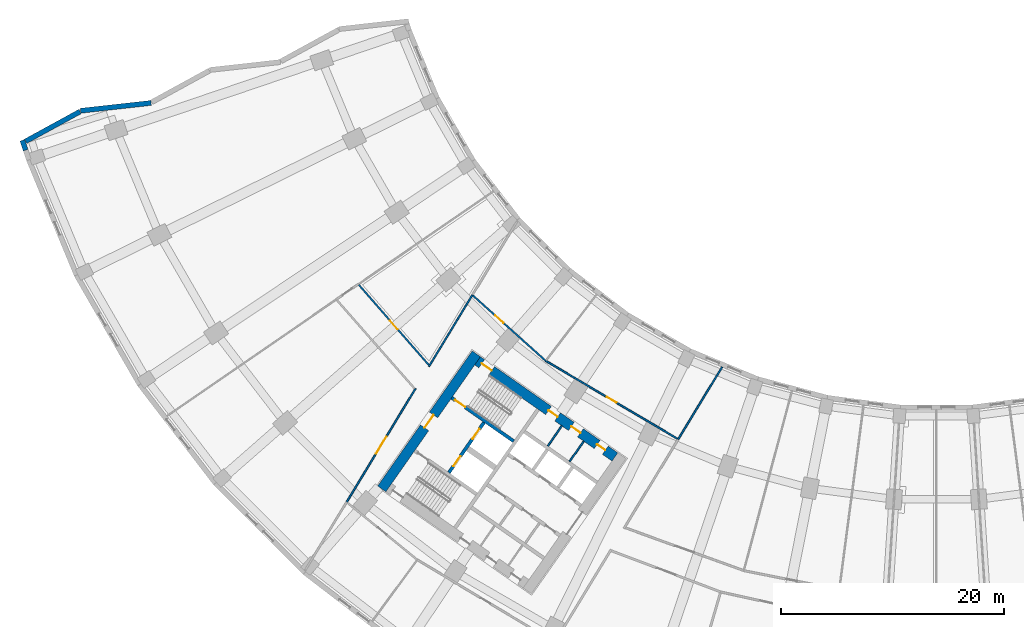
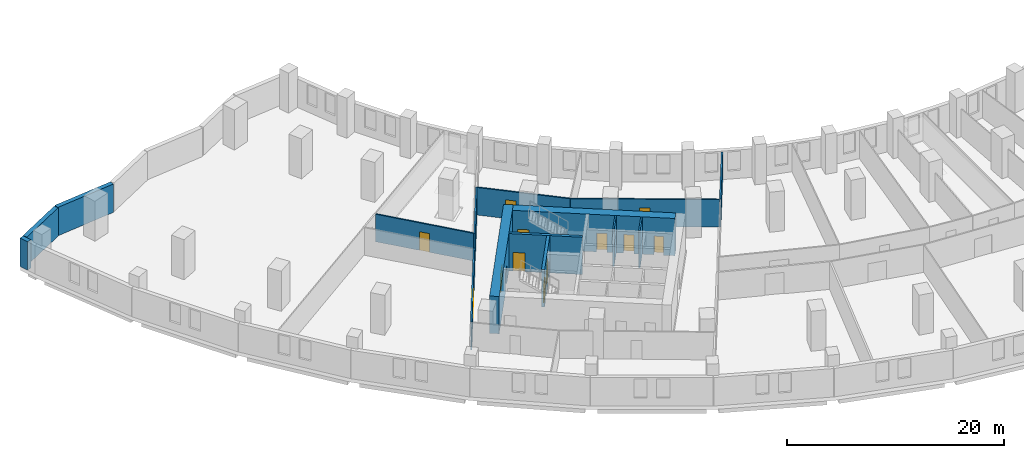
# One storey, part 7 of 19: 15 walls, 12 doors, 12 openings.
"""IFC4 building model written with IfcOpenShell, lengths in metres."""

from ifc_helpers import new_model, si_unit, direction, frame, frame_2d, origin, place, context, subcontext, project, spatial, rectangle, extrude, material, layer, layer_set, type_object, element, fill, save


model = new_model("IFC4")

# Units and contexts
model_context = context("Model", 3, precision=1e-05, world=origin(), true_north=direction((0.0, 1.0)))
body_context = subcontext(model_context, "Body", "Model", "MODEL_VIEW")
ifc_project = project(units=[si_unit("LENGTHUNIT", "METRE"), si_unit("AREAUNIT", "SQUARE_METRE"), si_unit("VOLUMEUNIT", "CUBIC_METRE"), si_unit("PLANEANGLEUNIT", "RADIAN"), si_unit("MASSUNIT", "GRAM", prefix="KILO")], contexts=[model_context])

# Site, building, storey
site_placement = place(None, origin())
site = spatial("IfcSite", under=ifc_project, at=site_placement, CompositionType="ELEMENT")
building_placement = place(site_placement, origin())
building = spatial("IfcBuilding", under=site, at=building_placement, Name="Qamariyya Broadcast Tower", CompositionType="ELEMENT")
storey_placement = place(building_placement, frame((0.0, 0.0, 36.0)))
storey = spatial("IfcBuildingStorey", under=building, at=storey_placement, Name="L05", CompositionType="ELEMENT", Elevation=36.0)

# Wall, opening, door
ifc_material_1 = material(Name="Concrete C70/85", Category="concrete")
ifc_layer_1 = layer(ifc_material_1, 0.89990234375)
ifc_layer_set_1 = layer_set([ifc_layer_1], Name="Core wall 900 mm Concrete C70/85")
wall_type_1 = type_object("IfcWallType", Name="Core wall 900 mm Concrete C70/85", PredefinedType="SHEAR", material=ifc_layer_set_1)
wall_1_placement = place(storey_placement, frame((-49.778564453125, -57.191162109375, 0.0), z_axis=(0.0, 0.0, 1.0), x_axis=(0.573577477574, 0.819151315216, 0.0)))
wall_1 = element("IfcWall", 1, at=wall_1_placement, inside=storey, type_object=wall_type_1, Name="k-W-L05-WH", PredefinedType="SHEAR", context=body_context, shape_type="SweptSolid", body=[
    extrude(rectangle(XDim=14.800048828125, YDim=0.89990234375, at=frame_2d((7.39990234375, 0.0))), origin(), (0.0, 0.0, 1.0), 4.199951171875),
])
opening_1_placement = place(wall_1_placement, frame((6.699951171875, 0.0, 0.0)))
opening_1 = element("IfcOpeningElement", 2, at=opening_1_placement, cuts=wall_1, Name="Opening KD2-W1", PredefinedType="OPENING", context=body_context, shape_type="SweptSolid", body=[
    extrude(rectangle(XDim=1.39990234375, YDim=2.10009765625, at=frame_2d((0.699951171875, 1.050048828125))), frame((0.0, 0.4599609375, 0.0), z_axis=(0.0, -1.0, 0.0), x_axis=(1.0, 0.0, 0.0)), (0.0, 0.0, 1.0), 0.919921875),
])
ifc_material_2 = material(Name="Steel fire-resisting door leaf", Category="steel")
door_type_1 = type_object("IfcDoorType", Name="Fire-fighting lobby door KD2", OperationType="DOUBLE_DOOR_SINGLE_SWING", PredefinedType="DOOR", material=ifc_material_2)
door_1_placement = place(opening_1_placement, origin())
door_1 = element("IfcDoor", 3, at=door_1_placement, inside=storey, type_object=door_type_1, Name="k-W-L05-WH-D16", OperationType="DOUBLE_DOOR_SINGLE_SWING", OverallHeight=2.10009765625, OverallWidth=1.39990234375, PredefinedType="DOOR", context=body_context, shape_type="SweptSolid", body=[
    extrude(rectangle(XDim=1.39990234375, YDim=2.10009765625, at=frame_2d((0.699951171875, 1.050048828125))), frame((0.0, 0.02490234375, 0.0), z_axis=(0.0, -1.0, 0.0), x_axis=(1.0, 0.0, 0.0)), (0.0, 0.0, 1.0), 0.050048828125),
])
fill(opening_1, door_1)

# Wall, openings, doors
wall_2_placement = place(storey_placement, frame((-28.8544921875, -54.32421875, 0.0), z_axis=(0.0, 0.0, 1.0), x_axis=(-0.819145767589, 0.573585400304, 0.0)))
wall_2 = element("IfcWall", 4, at=wall_2_placement, inside=storey, type_object=wall_type_1, Name="k-W-L05-WI", PredefinedType="SHEAR", context=body_context, shape_type="SweptSolid", body=[
    extrude(rectangle(XDim=15.04541015625, YDim=0.89990234375, at=frame_2d((7.522705078125, 0.0))), origin(), (0.0, 0.0, 1.0), 4.199951171875),
])
opening_2_placement = place(wall_2_placement, frame((1.050048828125, 0.0, 0.0)))
opening_2 = element("IfcOpeningElement", 5, at=opening_2_placement, cuts=wall_2, Name="Opening KD5-W1", PredefinedType="OPENING", context=body_context, shape_type="SweptSolid", body=[
    extrude(rectangle(XDim=0.89990234375, YDim=2.10009765625, at=frame_2d((0.449951171875, 1.050048828125))), frame((0.0, 0.4599609375, 0.0), z_axis=(0.0, -1.0, 0.0), x_axis=(1.0, 0.0, 0.0)), (0.0, 0.0, 1.0), 0.919921875),
])
opening_3_placement = place(wall_2_placement, frame((3.77490234375, 0.0, 0.0)))
opening_3 = element("IfcOpeningElement", 6, at=opening_3_placement, cuts=wall_2, Name="Opening KD7-W1", PredefinedType="OPENING", context=body_context, shape_type="SweptSolid", body=[
    extrude(rectangle(XDim=1.0, YDim=2.10009765625, at=frame_2d((0.5, 1.050048828125))), frame((0.0, 0.4599609375, 0.0), z_axis=(0.0, -1.0, 0.0), x_axis=(1.0, 0.0, 0.0)), (0.0, 0.0, 1.0), 0.919921875),
])
opening_4_placement = place(wall_2_placement, frame((6.27490234375, 0.0, 0.0)))
opening_4 = element("IfcOpeningElement", 7, at=opening_4_placement, cuts=wall_2, Name="Opening KD6-W4", PredefinedType="OPENING", context=body_context, shape_type="SweptSolid", body=[
    extrude(rectangle(XDim=1.0, YDim=2.10009765625, at=frame_2d((0.5, 1.050048828125))), frame((0.0, 0.4599609375, 0.0), z_axis=(0.0, -1.0, 0.0), x_axis=(1.0, 0.0, 0.0)), (0.0, 0.0, 1.0), 0.919921875),
])
opening_5_placement = place(wall_2_placement, frame((13.495361328125, 0.0, 0.0)))
opening_5 = element("IfcOpeningElement", 8, at=opening_5_placement, cuts=wall_2, Name="Opening KD1-W1", PredefinedType="OPENING", context=body_context, shape_type="SweptSolid", body=[
    extrude(rectangle(XDim=1.10009765625, YDim=2.10009765625, at=frame_2d((0.550048828125, 1.050048828125))), frame((0.0, 0.4599609375, 0.0), z_axis=(0.0, -1.0, 0.0), x_axis=(1.0, 0.0, 0.0)), (0.0, 0.0, 1.0), 0.919921875),
])
door_type_2 = type_object("IfcDoorType", Name="Accessible toilet door KD7", OperationType="SINGLE_SWING_LEFT", PredefinedType="DOOR", material=ifc_material_2)
door_2_placement = place(opening_3_placement, origin())
door_2 = element("IfcDoor", 9, at=door_2_placement, inside=storey, type_object=door_type_2, Name="k-W-L05-WI-D9", OperationType="SINGLE_SWING_RIGHT", OverallHeight=2.10009765625, OverallWidth=1.0, PredefinedType="DOOR", context=body_context, shape_type="SweptSolid", body=[
    extrude(rectangle(XDim=1.0, YDim=2.10009765625, at=frame_2d((0.5, 1.050048828125))), frame((0.0, 0.02490234375, 0.0), z_axis=(0.0, -1.0, 0.0), x_axis=(1.0, 0.0, 0.0)), (0.0, 0.0, 1.0), 0.050048828125),
])
fill(opening_3, door_2)
door_type_3 = type_object("IfcDoorType", Name="Core room door KD6", OperationType="SINGLE_SWING_LEFT", PredefinedType="DOOR", material=ifc_material_2)
door_3_placement = place(opening_4_placement, origin())
door_3 = element("IfcDoor", 10, at=door_3_placement, inside=storey, type_object=door_type_3, Name="k-W-L05-WI-D10", OperationType="SINGLE_SWING_LEFT", OverallHeight=2.10009765625, OverallWidth=1.0, PredefinedType="DOOR", context=body_context, shape_type="SweptSolid", body=[
    extrude(rectangle(XDim=1.0, YDim=2.10009765625, at=frame_2d((0.5, 1.050048828125))), frame((0.0, 0.02490234375, 0.0), z_axis=(0.0, -1.0, 0.0), x_axis=(1.0, 0.0, 0.0)), (0.0, 0.0, 1.0), 0.050048828125),
])
fill(opening_4, door_3)
door_type_4 = type_object("IfcDoorType", Name="Stair door KD1", OperationType="SINGLE_SWING_LEFT", PredefinedType="DOOR", material=ifc_material_2)
door_4_placement = place(opening_5_placement, origin())
door_4 = element("IfcDoor", 11, at=door_4_placement, inside=storey, type_object=door_type_4, Name="k-W-L05-WI-D17", OperationType="SINGLE_SWING_RIGHT", OverallHeight=2.10009765625, OverallWidth=1.10009765625, PredefinedType="DOOR", context=body_context, shape_type="SweptSolid", body=[
    extrude(rectangle(XDim=1.10009765625, YDim=2.10009765625, at=frame_2d((0.550048828125, 1.050048828125))), frame((0.0, 0.02490234375, 0.0), z_axis=(0.0, -1.0, 0.0), x_axis=(1.0, 0.0, 0.0)), (0.0, 0.0, 1.0), 0.050048828125),
])
fill(opening_5, door_4)
door_type_5 = type_object("IfcDoorType", Name="Toilet door KD5", OperationType="SINGLE_SWING_LEFT", PredefinedType="DOOR", material=ifc_material_2)
door_5_placement = place(opening_2_placement, origin())
door_5 = element("IfcDoor", 12, at=door_5_placement, inside=storey, type_object=door_type_5, Name="k-W-L05-WI-D8", OperationType="SINGLE_SWING_LEFT", OverallHeight=2.10009765625, OverallWidth=0.89990234375, PredefinedType="DOOR", context=body_context, shape_type="SweptSolid", body=[
    extrude(rectangle(XDim=0.89990234375, YDim=2.10009765625, at=frame_2d((0.449951171875, 1.050048828125))), frame((0.0, 0.02490234375, 0.0), z_axis=(0.0, -1.0, 0.0), x_axis=(1.0, 0.0, 0.0)), (0.0, 0.0, 1.0), 0.050048828125),
])
fill(opening_2, door_5)

# Wall, opening, door
ifc_material_3 = material(Name="Gypsum board partition")
ifc_layer_2 = layer(ifc_material_3, 0.14990234375)
ifc_layer_set_2 = layer_set([ifc_layer_2], Name="Corridor partition 150 EI 60")
wall_type_2 = type_object("IfcWallType", Name="Corridor partition 150 EI 60", PredefinedType="PARTITIONING", material=ifc_layer_set_2)
wall_3_placement = place(storey_placement, frame((-52.935791015625, -58.37158203125, 0.0), z_axis=(0.0, 0.0, 1.0), x_axis=(0.519168806698, 0.854671720693, 0.0)))
wall_3 = element("IfcWall", 13, at=wall_3_placement, inside=storey, type_object=wall_type_2, Name="Partition L05-008", PredefinedType="PARTITIONING", context=body_context, shape_type="SweptSolid", body=[
    extrude(rectangle(XDim=11.927490234375, YDim=0.14990234375, at=frame_2d((5.9638671875, 0.0))), origin(), (0.0, 0.0, 1.0), 3.10009765625),
])
opening_6_placement = place(wall_3_placement, frame((5.063720703125, 0.0, 0.0)))
opening_6 = element("IfcOpeningElement", 14, at=opening_6_placement, cuts=wall_3, Name="Opening L05-D20", PredefinedType="OPENING", context=body_context, shape_type="SweptSolid", body=[
    extrude(rectangle(XDim=1.800048828125, YDim=2.10009765625, at=frame_2d((0.89990234375, 1.050048828125))), frame((0.0, 0.0849609375, 0.0), z_axis=(0.0, -1.0, 0.0), x_axis=(1.0, 0.0, 0.0)), (0.0, 0.0, 1.0), 0.169921875),
])
ifc_material_4 = material(Name="Timber fire door leaf", Category="wood")
door_type_6 = type_object("IfcDoorType", Name="Double fire door 1800 x 2100 FD60", OperationType="NOTDEFINED", PredefinedType="DOOR", material=ifc_material_4)
door_6_placement = place(opening_6_placement, origin())
door_6 = element("IfcDoor", 15, at=door_6_placement, inside=storey, type_object=door_type_6, Name="Door L05-D20", OperationType="DOUBLE_DOOR_SINGLE_SWING", OverallHeight=2.10009765625, OverallWidth=1.800048828125, PredefinedType="DOOR", context=body_context, shape_type="SweptSolid", body=[
    extrude(rectangle(XDim=1.800048828125, YDim=2.10009765625, at=frame_2d((0.89990234375, 1.050048828125))), frame((0.0, 0.02490234375, 0.0), z_axis=(0.0, -1.0, 0.0), x_axis=(1.0, 0.0, 0.0)), (0.0, 0.0, 1.0), 0.050048828125),
])
fill(opening_6, door_6)

wall_4_placement = place(storey_placement, frame((-51.83251953125, -38.880859375, 0.0), z_axis=(0.0, 0.0, 1.0), x_axis=(0.657411055224, -0.753532152246, 0.0)))
wall_4 = element("IfcWall", 16, at=wall_4_placement, inside=storey, type_object=wall_type_2, Name="Partition L05-010", PredefinedType="PARTITIONING", context=body_context, shape_type="SweptSolid", body=[
    extrude(rectangle(XDim=9.552734375, YDim=0.14990234375, at=frame_2d((4.7763671875, 0.0))), origin(), (0.0, 0.0, 1.0), 3.10009765625),
])
opening_7_placement = place(wall_4_placement, frame((4.2763671875, 0.0, 0.0)))
opening_7 = element("IfcOpeningElement", 17, at=opening_7_placement, cuts=wall_4, Name="Opening L05-D19", PredefinedType="OPENING", context=body_context, shape_type="SweptSolid", body=[
    extrude(rectangle(XDim=1.0, YDim=2.10009765625, at=frame_2d((0.5, 1.050048828125))), frame((0.0, 0.0849609375, 0.0), z_axis=(0.0, -1.0, 0.0), x_axis=(1.0, 0.0, 0.0)), (0.0, 0.0, 1.0), 0.169921875),
])
door_type_7 = type_object("IfcDoorType", Name="Fire door 1000 x 2100 FD60", OperationType="NOTDEFINED", PredefinedType="DOOR", material=ifc_material_4)
door_7_placement = place(opening_7_placement, origin())
door_7 = element("IfcDoor", 18, at=door_7_placement, inside=storey, type_object=door_type_7, Name="Door L05-D19", OperationType="SINGLE_SWING_RIGHT", OverallHeight=2.10009765625, OverallWidth=1.0, PredefinedType="DOOR", context=body_context, shape_type="SweptSolid", body=[
    extrude(rectangle(XDim=1.0, YDim=2.10009765625, at=frame_2d((0.5, 1.050048828125))), frame((0.0, 0.02490234375, 0.0), z_axis=(0.0, -1.0, 0.0), x_axis=(1.0, 0.0, 0.0)), (0.0, 0.0, 1.0), 0.050048828125),
])
fill(opening_7, door_7)

# Wall
wall_5_placement = place(storey_placement, frame((-41.648193359375, -39.789306640625, 0.0), z_axis=(0.0, 0.0, 1.0), x_axis=(-0.519150554232, -0.854682807854, 0.0)))
element("IfcWall", 19, at=wall_5_placement, inside=storey, type_object=wall_type_2, Name="Partition L05-011", PredefinedType="PARTITIONING", context=body_context, shape_type="SweptSolid", body=[
    extrude(rectangle(XDim=7.500244140625, YDim=0.14990234375, at=frame_2d((3.75, 0.0))), origin(), (0.0, 0.0, 1.0), 3.10009765625),
])

# Wall, opening, door
wall_6_placement = place(storey_placement, frame((-41.59228515625, -39.83935546875, 0.0), z_axis=(0.0, 0.0, 1.0), x_axis=(0.744252572607, -0.667898276812, 0.0)))
wall_6 = element("IfcWall", 20, at=wall_6_placement, inside=storey, type_object=wall_type_2, Name="Partition L05-012", PredefinedType="PARTITIONING", context=body_context, shape_type="SweptSolid", body=[
    extrude(rectangle(XDim=8.770751953125, YDim=0.14990234375, at=frame_2d((4.38525390625, 0.0))), origin(), (0.0, 0.0, 1.0), 3.10009765625),
])
opening_8_placement = place(wall_6_placement, frame((2.685302734375, 0.0, 0.0)))
opening_8 = element("IfcOpeningElement", 21, at=opening_8_placement, cuts=wall_6, Name="Opening L05-D15", PredefinedType="OPENING", context=body_context, shape_type="SweptSolid", body=[
    extrude(rectangle(XDim=1.0, YDim=2.10009765625, at=frame_2d((0.5, 1.050048828125))), frame((0.0, 0.0849609375, 0.0), z_axis=(0.0, -1.0, 0.0), x_axis=(1.0, 0.0, 0.0)), (0.0, 0.0, 1.0), 0.169921875),
])
door_8_placement = place(opening_8_placement, origin())
door_8 = element("IfcDoor", 22, at=door_8_placement, inside=storey, type_object=door_type_7, Name="Door L05-D15", OperationType="SINGLE_SWING_LEFT", OverallHeight=2.10009765625, OverallWidth=1.0, PredefinedType="DOOR", context=body_context, shape_type="SweptSolid", body=[
    extrude(rectangle(XDim=1.0, YDim=2.10009765625, at=frame_2d((0.5, 1.050048828125))), frame((0.0, 0.02490234375, 0.0), z_axis=(0.0, -1.0, 0.0), x_axis=(1.0, 0.0, 0.0)), (0.0, 0.0, 1.0), 0.050048828125),
])
fill(opening_8, door_8)

wall_7_placement = place(storey_placement, frame((-35.064697265625, -45.697265625, 0.0), z_axis=(0.0, 0.0, 1.0), x_axis=(0.860638818745, -0.509215891022, 0.0)))
wall_7 = element("IfcWall", 23, at=wall_7_placement, inside=storey, type_object=wall_type_2, Name="Partition L05-014", PredefinedType="PARTITIONING", context=body_context, shape_type="SweptSolid", body=[
    extrude(rectangle(XDim=13.740966796875, YDim=0.14990234375, at=frame_2d((6.87060546875, 0.0))), origin(), (0.0, 0.0, 1.0), 3.10009765625),
])
opening_9_placement = place(wall_7_placement, frame((6.370361328125, 0.0, 0.0)))
opening_9 = element("IfcOpeningElement", 24, at=opening_9_placement, cuts=wall_7, Name="Opening L05-D16", PredefinedType="OPENING", context=body_context, shape_type="SweptSolid", body=[
    extrude(rectangle(XDim=1.0, YDim=2.10009765625, at=frame_2d((0.5, 1.050048828125))), frame((0.0, 0.0849609375, 0.0), z_axis=(0.0, -1.0, 0.0), x_axis=(1.0, 0.0, 0.0)), (0.0, 0.0, 1.0), 0.169921875),
])
door_9_placement = place(opening_9_placement, origin())
door_9 = element("IfcDoor", 25, at=door_9_placement, inside=storey, type_object=door_type_7, Name="Door L05-D16", OperationType="SINGLE_SWING_RIGHT", OverallHeight=2.10009765625, OverallWidth=1.0, PredefinedType="DOOR", context=body_context, shape_type="SweptSolid", body=[
    extrude(rectangle(XDim=1.0, YDim=2.10009765625, at=frame_2d((0.5, 1.050048828125))), frame((0.0, 0.02490234375, 0.0), z_axis=(0.0, -1.0, 0.0), x_axis=(1.0, 0.0, 0.0)), (0.0, 0.0, 1.0), 0.050048828125),
])
fill(opening_9, door_9)

# Walls
wall_8_placement = place(storey_placement, frame((-19.2314453125, -46.2490234375, 0.0), z_axis=(0.0, 0.0, 1.0), x_axis=(-0.519582509181, -0.854420280748, 0.0)))
element("IfcWall", 26, at=wall_8_placement, inside=storey, type_object=wall_type_2, Name="Partition L05-023", PredefinedType="PARTITIONING", context=body_context, shape_type="SweptSolid", body=[
    extrude(rectangle(XDim=7.588134765625, YDim=0.14990234375, at=frame_2d((3.7939453125, 0.0))), origin(), (0.0, 0.0, 1.0), 3.10009765625),
])
ifc_material_5 = material(Name="Gypsum board partition on steel studs", Category="steel")
ifc_layer_3 = layer(ifc_material_5, 0.14990234375)
ifc_layer_set_3 = layer_set([ifc_layer_3], Name="Gypsum board partition 150 mm")
wall_type_3 = type_object("IfcWallType", Name="Gypsum board partition 150 mm", PredefinedType="PARTITIONING", material=ifc_layer_set_3)
wall_9_placement = place(storey_placement, frame((-32.9140625, -54.716796875, 0.0), z_axis=(0.0, 0.0, 1.0), x_axis=(0.573581496053, 0.819148501424, 0.0)))
element("IfcWall", 27, at=wall_9_placement, inside=storey, type_object=wall_type_3, Name="k-W-L05-NP310", PredefinedType="PARTITIONING", context=body_context, shape_type="SweptSolid", body=[
    extrude(rectangle(XDim=2.2001953125, YDim=0.14990234375, at=frame_2d((1.10009765625, 0.0))), origin(), (0.0, 0.0, 1.0), 4.199951171875),
])
wall_10_placement = place(storey_placement, frame((-34.8798828125, -53.340087890625, 0.0), z_axis=(0.0, 0.0, 1.0), x_axis=(0.573559170999, 0.819164133348, 0.0)))
element("IfcWall", 28, at=wall_10_placement, inside=storey, type_object=wall_type_3, Name="k-W-L05-NP550", PredefinedType="PARTITIONING", context=body_context, shape_type="SweptSolid", body=[
    extrude(rectangle(XDim=2.19970703125, YDim=0.14990234375, at=frame_2d((1.099853515625, 0.0))), origin(), (0.0, 0.0, 1.0), 4.199951171875),
])

# Wall, opening, door
ifc_material_6 = material(Name="Concrete C60/75", Category="concrete")
ifc_layer_4 = layer(ifc_material_6, 0.300048828125)
ifc_layer_set_4 = layer_set([ifc_layer_4], Name="Lift shaft wall 300 mm Concrete C60/75")
wall_type_4 = type_object("IfcWallType", Name="Lift shaft wall 300 mm Concrete C60/75", PredefinedType="SOLIDWALL", material=ifc_layer_set_4)
wall_11_placement = place(storey_placement, frame((-37.935546875, -52.90966796875, 0.0), z_axis=(0.0, 0.0, 1.0), x_axis=(-0.819147518138, 0.57358290031, 0.0)))
wall_11 = element("IfcWall", 29, at=wall_11_placement, inside=storey, type_object=wall_type_4, Name="k-W-L05-NW", PredefinedType="SOLIDWALL", context=body_context, shape_type="SweptSolid", body=[
    extrude(rectangle(XDim=6.79541015625, YDim=0.300048828125, at=frame_2d((3.397705078125, 0.0))), origin(), (0.0, 0.0, 1.0), 4.199951171875),
])
opening_10_placement = place(wall_11_placement, frame((5.3203125, 0.0, 0.0)))
opening_10 = element("IfcOpeningElement", 30, at=opening_10_placement, cuts=wall_11, Name="Opening KD1-W2", PredefinedType="OPENING", context=body_context, shape_type="SweptSolid", body=[
    extrude(rectangle(XDim=1.10009765625, YDim=2.10009765625, at=frame_2d((0.550048828125, 1.050048828125))), frame((0.0, 0.159912109375, 0.0), z_axis=(0.0, -1.0, 0.0), x_axis=(1.0, 0.0, 0.0)), (0.0, 0.0, 1.0), 0.320068359375),
])
door_10_placement = place(opening_10_placement, origin())
door_10 = element("IfcDoor", 31, at=door_10_placement, inside=storey, type_object=door_type_4, Name="k-W-L05-NW-D18", OperationType="SINGLE_SWING_LEFT", OverallHeight=2.10009765625, OverallWidth=1.10009765625, PredefinedType="DOOR", context=body_context, shape_type="SweptSolid", body=[
    extrude(rectangle(XDim=1.10009765625, YDim=2.10009765625, at=frame_2d((0.550048828125, 1.050048828125))), frame((0.0, 0.02490234375, 0.0), z_axis=(0.0, -1.0, 0.0), x_axis=(1.0, 0.0, 0.0)), (0.0, 0.0, 1.0), 0.050048828125),
])
fill(opening_10, door_10)

# Wall, openings, doors
wall_12_placement = place(storey_placement, frame((-43.756591796875, -55.731201171875, 0.0), z_axis=(0.0, 0.0, 1.0), x_axis=(0.573536818435, 0.819179783625, 0.0)))
wall_12 = element("IfcWall", 32, at=wall_12_placement, inside=storey, type_object=wall_type_4, Name="k-W-L05-FF", PredefinedType="SOLIDWALL", context=body_context, shape_type="SweptSolid", body=[
    extrude(rectangle(XDim=5.500244140625, YDim=0.300048828125, at=frame_2d((2.75, 0.0))), origin(), (0.0, 0.0, 1.0), 4.199951171875),
])
opening_11_placement = place(wall_12_placement, frame((0.699951171875, 0.0, 0.0)))
opening_11 = element("IfcOpeningElement", 33, at=opening_11_placement, cuts=wall_12, Name="Opening LD", PredefinedType="OPENING", context=body_context, shape_type="SweptSolid", body=[
    extrude(rectangle(XDim=1.10009765625, YDim=2.10009765625, at=frame_2d((0.550048828125, 1.050048828125))), frame((0.0, 0.159912109375, 0.0), z_axis=(0.0, -1.0, 0.0), x_axis=(1.0, 0.0, 0.0)), (0.0, 0.0, 1.0), 0.320068359375),
])
opening_12_placement = place(wall_12_placement, frame((3.699951171875, 0.0, 0.0)))
opening_12 = element("IfcOpeningElement", 34, at=opening_12_placement, cuts=wall_12, Name="Opening LD", PredefinedType="OPENING", context=body_context, shape_type="SweptSolid", body=[
    extrude(rectangle(XDim=1.10009765625, YDim=2.10009765625, at=frame_2d((0.550048828125, 1.050048828125))), frame((0.0, 0.159912109375, 0.0), z_axis=(0.0, -1.0, 0.0), x_axis=(1.0, 0.0, 0.0)), (0.0, 0.0, 1.0), 0.320068359375),
])
door_type_8 = type_object("IfcDoorType", Name="Lift landing door LD", OperationType="DOUBLE_DOOR_SLIDING", PredefinedType="DOOR", material=ifc_material_2)
door_11_placement = place(opening_11_placement, origin())
door_11 = element("IfcDoor", 35, at=door_11_placement, inside=storey, type_object=door_type_8, Name="k-W-L05-FF-D14", OperationType="DOUBLE_DOOR_SLIDING", OverallHeight=2.10009765625, OverallWidth=1.10009765625, PredefinedType="DOOR", context=body_context, shape_type="SweptSolid", body=[
    extrude(rectangle(XDim=1.10009765625, YDim=2.10009765625, at=frame_2d((0.550048828125, 1.050048828125))), frame((0.0, 0.02490234375, 0.0), z_axis=(0.0, -1.0, 0.0), x_axis=(1.0, 0.0, 0.0)), (0.0, 0.0, 1.0), 0.050048828125),
])
fill(opening_11, door_11)
door_12_placement = place(opening_12_placement, origin())
door_12 = element("IfcDoor", 36, at=door_12_placement, inside=storey, type_object=door_type_8, Name="k-W-L05-FF-D15", OperationType="DOUBLE_DOOR_SLIDING", OverallHeight=2.10009765625, OverallWidth=1.10009765625, PredefinedType="DOOR", context=body_context, shape_type="SweptSolid", body=[
    extrude(rectangle(XDim=1.10009765625, YDim=2.10009765625, at=frame_2d((0.550048828125, 1.050048828125))), frame((0.0, 0.02490234375, 0.0), z_axis=(0.0, -1.0, 0.0), x_axis=(1.0, 0.0, 0.0)), (0.0, 0.0, 1.0), 0.050048828125),
])
fill(opening_12, door_12)

# Walls
ifc_material_7 = material(Name="Precast concrete C40/50 with terracotta facing", Category="masonry")
ifc_layer_5 = layer(ifc_material_7, 0.449951171875)
ifc_layer_set_5 = layer_set([ifc_layer_5], Name="Precast concrete C40/50 wall 450, terracotta faced")
wall_type_5 = type_object("IfcWallType", Name="Precast concrete C40/50 wall 450, terracotta faced", PredefinedType="SOLIDWALL", material=ifc_layer_set_5)
wall_13_placement = place(storey_placement, frame((-70.4814453125, -22.548095703125, 0.0), z_axis=(0.0, 0.0, 1.0), x_axis=(-0.993813805196, -0.111059086081, 0.0)))
element("IfcWall", 37, at=wall_13_placement, inside=storey, type_object=wall_type_5, Name="e-wl-L05-capW4", PredefinedType="SOLIDWALL", context=body_context, shape_type="SweptSolid", body=[
    extrude(rectangle(XDim=6.36181640625, YDim=0.449951171875, at=frame_2d((3.180908203125, 0.0))), origin(), (0.0, 0.0, 1.0), 3.199951171875),
])
wall_14_placement = place(storey_placement, frame((-76.863037109375, -23.32373046875, 0.0), z_axis=(0.0, 0.0, 1.0), x_axis=(-0.877209140108, -0.480108450781, 0.0)))
element("IfcWall", 38, at=wall_14_placement, inside=storey, type_object=wall_type_5, Name="e-wl-L05-capW5", PredefinedType="SOLIDWALL", context=body_context, shape_type="SweptSolid", body=[
    extrude(rectangle(XDim=5.552978515625, YDim=0.449951171875, at=frame_2d((2.7763671875, 0.0))), origin(), (0.0, 0.0, 1.0), 3.199951171875),
])
wall_15_placement = place(storey_placement, frame((-82.031982421875, -25.90625, 0.0), z_axis=(0.0, 0.0, 1.0), x_axis=(0.311608566113, -0.950210556416, 0.0)))
element("IfcWall", 39, at=wall_15_placement, inside=storey, type_object=wall_type_5, Name="e-wl-L05-out00", PredefinedType="SOLIDWALL", context=body_context, shape_type="SweptSolid", body=[
    extrude(rectangle(XDim=0.936279296875, YDim=0.449951171875, at=frame_2d((0.46826171875, 0.0))), origin(), (0.0, 0.0, 1.0), 3.199951171875),
])

save(model, "model.ifc")
